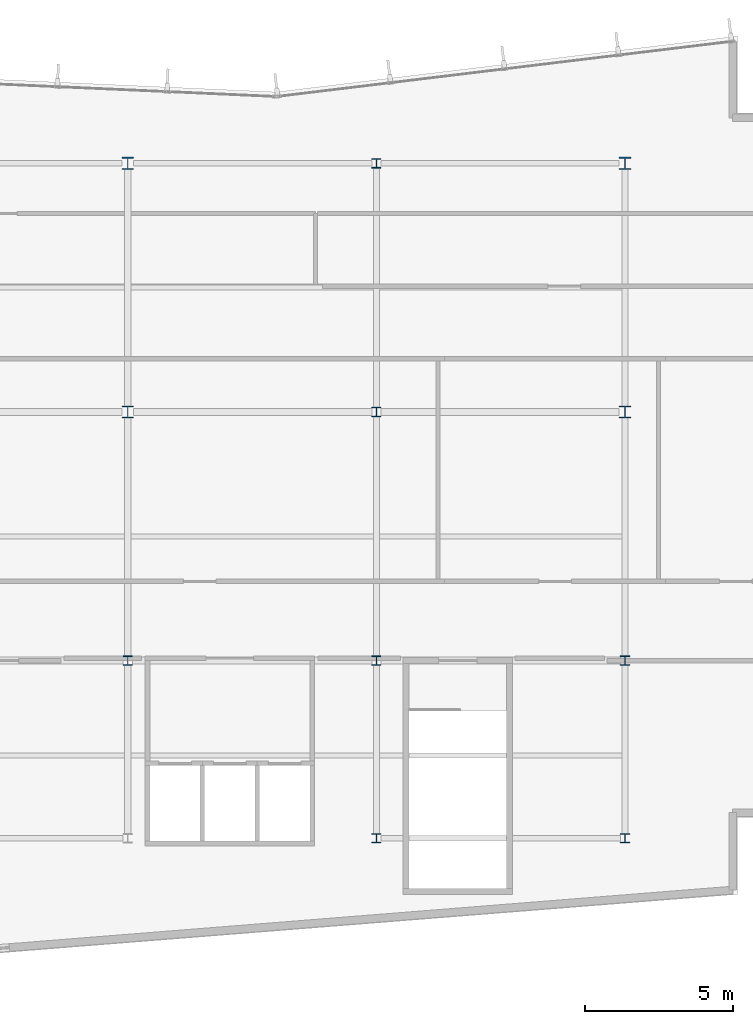
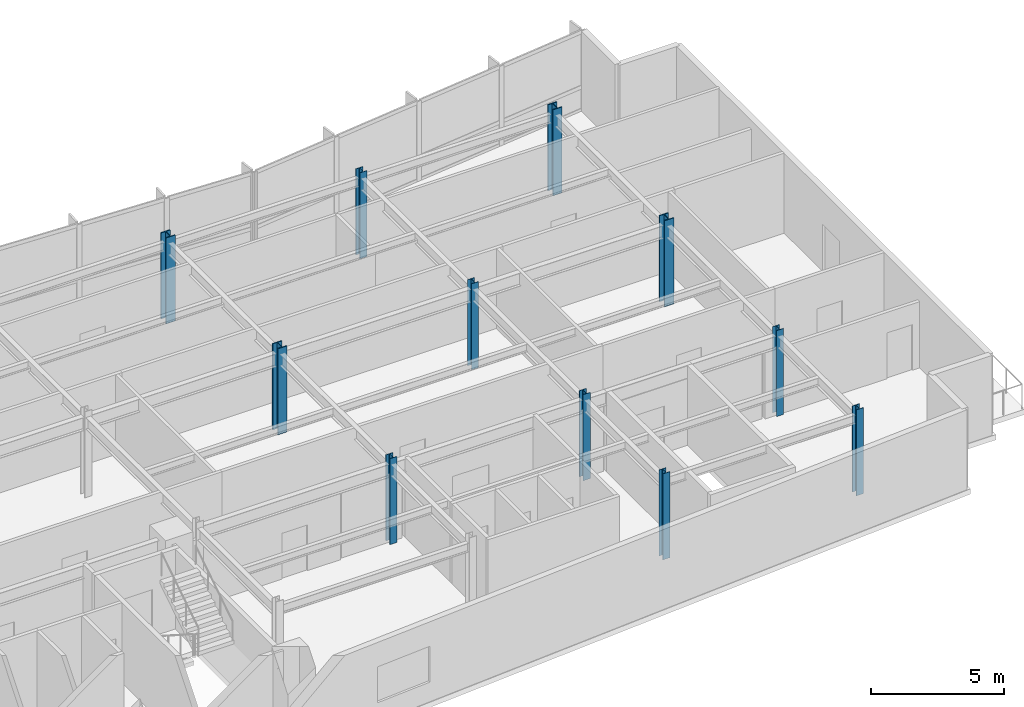
# One storey, part 2 of 16: 11 columns.
"""IFC4 building model written with IfcOpenShell, lengths in metres."""

from ifc_helpers import new_model, si_unit, direction, frame, origin, origin_2d, place, context, subcontext, project, spatial, i_section, extrude, material, material_profile, profile_set, type_object, element, save


model = new_model("IFC4")

# Units and contexts
model_context = context("Model", 3, precision=1e-05, world=origin(), true_north=direction((0.0, 1.0)))
body_context = subcontext(model_context, "Body", "Model", "MODEL_VIEW")
ifc_project = project(units=[si_unit("LENGTHUNIT", "METRE"), si_unit("AREAUNIT", "SQUARE_METRE"), si_unit("VOLUMEUNIT", "CUBIC_METRE"), si_unit("PLANEANGLEUNIT", "RADIAN"), si_unit("MASSUNIT", "GRAM", prefix="KILO")], contexts=[model_context])

# Site, building, storey
site_placement = place(None, origin())
site = spatial("IfcSite", under=ifc_project, at=site_placement, CompositionType="ELEMENT")
building_placement = place(site_placement, origin())
building = spatial("IfcBuilding", under=site, at=building_placement, Name="Varnakote Quay Hospital", CompositionType="ELEMENT")
storey_placement = place(building_placement, frame((0.0, 0.0, 170.5)))
storey = spatial("IfcBuildingStorey", under=building, at=storey_placement, Name="L42", CompositionType="ELEMENT", Elevation=170.5)

# Columns
ifc_material_1 = material(Name="Structural steel AS/NZS 3679.1 Grade 350 L0 (fy 340 MPa)", Category="steel")
ifc_material_profile_1 = material_profile(ifc_material_1, i_section(OverallWidth=0.306884765625, OverallDepth=0.31494140625, WebThickness=0.011962890625, FlangeThickness=0.018798828125, FilletRadius=0.0166015625, at=origin_2d()), Name="310UC118")
ifc_profile_set_1 = profile_set([ifc_material_profile_1], Name="Structural steel AS/NZS 3679.1 Grade 350 L0 (fy 340 MPa)")
column_type_1 = type_object("IfcColumnType", Name="COL-STL-310UC118", PredefinedType="COLUMN", material=ifc_profile_set_1)
for number, where, z_axis, x_axis, name in (
    (1, (42.0, 6.0, 0.0), (0.0, 0.0, 1.0), (1.0, 0.0, 0.0), "L42 Structural Column C-42-6"),
    (2, (50.39990234375, 6.0, 0.0), (0.0, 0.0, 1.0), (1.0, 0.0, 0.0), "L42 Structural Column C-50-6"),
    (3, (33.60009765625, 12.0, 0.0), (0.0, 0.0, 1.0), (1.0, 0.0, 0.0), "L42 Structural Column C-34-12"),
    (4, (42.0, 12.0, 0.0), (0.0, 0.0, 1.0), (1.0, 0.0, 0.0), "L42 Structural Column C-42-12"),
    (5, (50.39990234375, 12.0, 0.0), (0.0, 0.0, 1.0), (1.0, 0.0, 0.0), "L42 Structural Column C-50-12"),
    (6, (42.0, 20.39990234375, 0.0), (0.0, 0.0, 1.0), (1.0, 0.0, 0.0), "L42 Structural Column C-42-20"),
    (7, (42.0, 28.800048828125, 0.0), (0.0, 0.0, 1.0), (1.0, 0.0, 0.0), "L42 Structural Column C-42-29"),
):
    element("IfcColumn", number, at=place(storey_placement, frame(where, z_axis=z_axis, x_axis=x_axis)), inside=storey, type_object=column_type_1, Name=name, PredefinedType="COLUMN", context=body_context, shape_type="SweptSolid", body=[
        extrude(i_section(OverallWidth=0.306884765625, OverallDepth=0.31494140625, WebThickness=0.011962890625, FlangeThickness=0.018798828125, FilletRadius=0.0166015625, at=origin_2d()), origin(), (0.0, 0.0, 1.0), 3.949951171875),
    ])
ifc_material_2 = material(Name="Structural steel AS/NZS 3678 Grade 350 (fy 340 MPa)", Category="steel")
ifc_material_profile_2 = material_profile(ifc_material_2, i_section(OverallWidth=0.39990234375, OverallDepth=0.419921875, WebThickness=0.02490234375, FlangeThickness=0.0400390625, at=origin_2d()), Name="400WC328")
ifc_profile_set_2 = profile_set([ifc_material_profile_2], Name="Structural steel AS/NZS 3678 Grade 350 (fy 340 MPa)")
column_type_2 = type_object("IfcColumnType", Name="COL-STL-400WC328", PredefinedType="COLUMN", material=ifc_profile_set_2)
for number, where, z_axis, x_axis, name in (
    (8, (33.60009765625, 20.39990234375, 0.0), (0.0, 0.0, 1.0), (1.0, 0.0, 0.0), "L42 Structural Column C-34-20"),
    (9, (50.39990234375, 20.39990234375, 0.0), (0.0, 0.0, 1.0), (1.0, 0.0, 0.0), "L42 Structural Column C-50-20"),
    (10, (33.60009765625, 28.800048828125, 0.0), (0.0, 0.0, 1.0), (1.0, 0.0, 0.0), "L42 Structural Column C-34-29"),
    (11, (50.39990234375, 28.800048828125, 0.0), (0.0, 0.0, 1.0), (1.0, 0.0, 0.0), "L42 Structural Column C-50-29"),
):
    element("IfcColumn", number, at=place(storey_placement, frame(where, z_axis=z_axis, x_axis=x_axis)), inside=storey, type_object=column_type_2, Name=name, PredefinedType="COLUMN", context=body_context, shape_type="SweptSolid", body=[
        extrude(i_section(OverallWidth=0.39990234375, OverallDepth=0.419921875, WebThickness=0.02490234375, FlangeThickness=0.0400390625, at=origin_2d()), origin(), (0.0, 0.0, 1.0), 3.949951171875),
    ])

save(model, "model.ifc")
